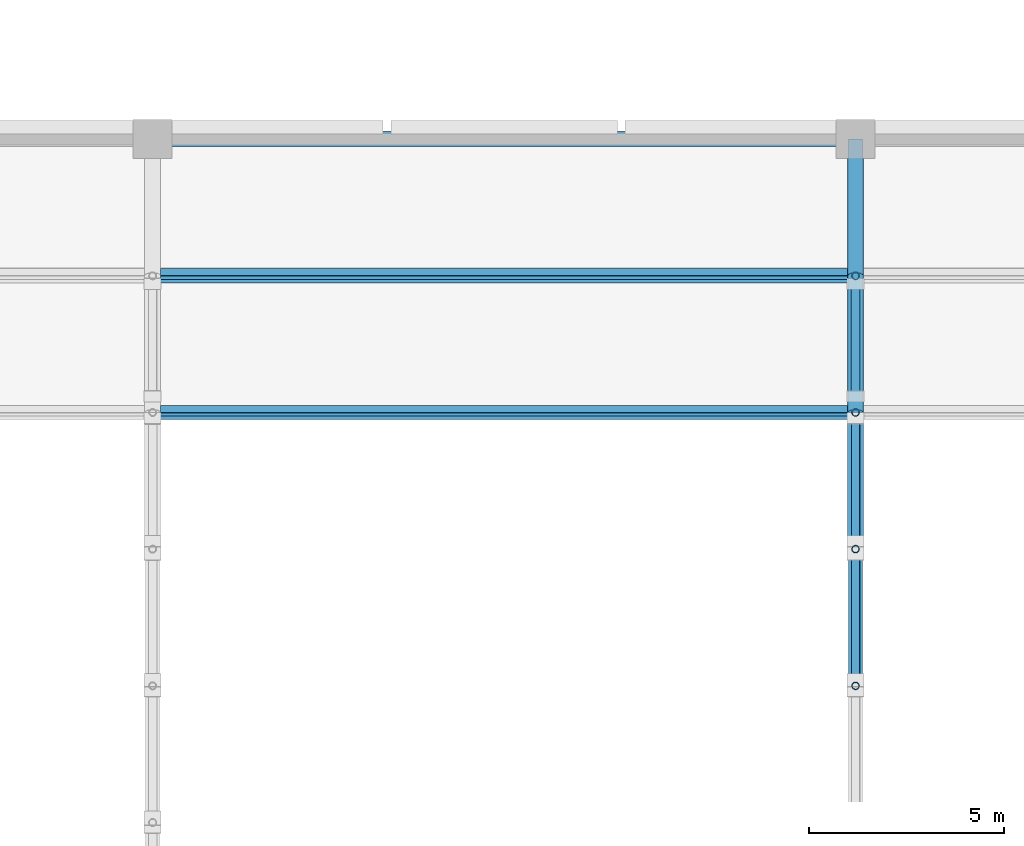
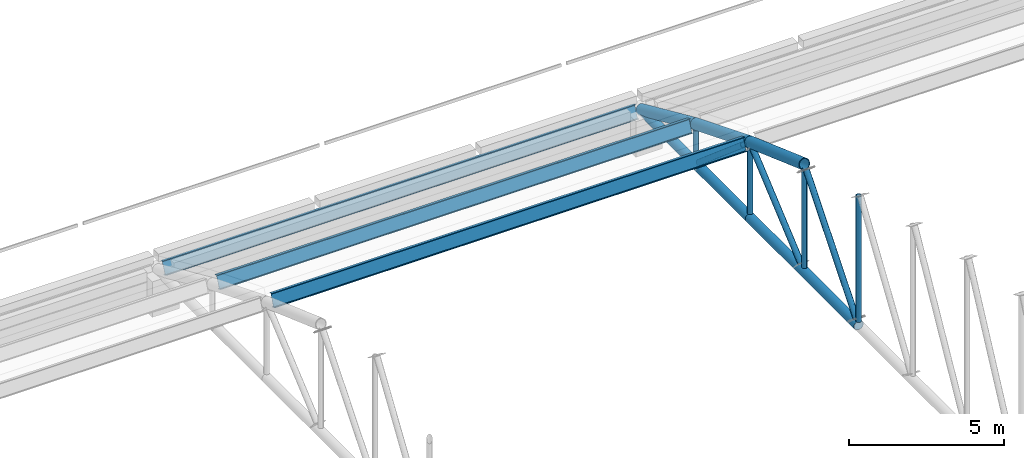
# One storey, part 77 of 196: 15 members.
"""IFC4 building model written with IfcOpenShell, lengths in metres."""

from ifc_helpers import new_model, si_unit, direction, frame, origin, origin_2d, place, context, subcontext, project, spatial, hollow_circle, i_section, extrude, material, material_profile, profile_set, type_object, element, save


model = new_model("IFC4")

# Units and contexts
model_context = context("Model", 3, precision=1e-05, world=origin(), true_north=direction((0.0, 1.0)))
body_context = subcontext(model_context, "Body", "Model", "MODEL_VIEW")
ifc_project = project(units=[si_unit("LENGTHUNIT", "METRE"), si_unit("AREAUNIT", "SQUARE_METRE"), si_unit("VOLUMEUNIT", "CUBIC_METRE"), si_unit("PLANEANGLEUNIT", "RADIAN"), si_unit("MASSUNIT", "GRAM", prefix="KILO")], contexts=[model_context])

# Site, building, storey
site_placement = place(None, origin())
site = spatial("IfcSite", under=ifc_project, at=site_placement, CompositionType="ELEMENT")
building_placement = place(site_placement, origin())
building = spatial("IfcBuilding", under=site, at=building_placement, Name="Okhra Congress Centre", CompositionType="ELEMENT")
storey_placement = place(building_placement, frame((0.0, 0.0, 12.0)))
storey = spatial("IfcBuildingStorey", under=building, at=storey_placement, Name="L02", CompositionType="ELEMENT", Elevation=12.0)

# Members
ifc_material_1 = material(Name="Steel S355J2H", Category="steel")
ifc_material_profile_1 = material_profile(ifc_material_1, hollow_circle(Radius=0.096923828125, WallThickness=0.012451171875, at=origin_2d()), Name="CHS 193.7x12.5")
ifc_profile_set_1 = profile_set([ifc_material_profile_1], Name="Steel S355J2H")
member_type_1 = type_object("IfcMemberType", Name="CHS 193.7x12.5", PredefinedType="POST", material=ifc_profile_set_1)
member_1_placement = place(storey_placement, frame((82.0, 202.0, 1.577880859375), z_axis=(0.0, 0.0, 1.0), x_axis=(1.0, 0.0, 0.0)))
element("IfcMember", 1, at=member_1_placement, inside=storey, type_object=member_type_1, Name="EH.MEM.L02.T4-VER-20", PredefinedType="POST", context=body_context, shape_type="SweptSolid", body=[
    extrude(hollow_circle(Radius=0.096923828125, WallThickness=0.012451171875, at=origin_2d()), origin(), (0.0, 0.0, 1.0), 4.947998046875),
])
member_2_placement = place(storey_placement, frame((82.0, 205.5, 1.577880859375), z_axis=(0.0, 0.0, 1.0), x_axis=(1.0, 0.0, 0.0)))
element("IfcMember", 2, at=member_2_placement, inside=storey, type_object=member_type_1, Name="EH.MEM.L02.T4-VER-21", PredefinedType="POST", context=body_context, shape_type="SweptSolid", body=[
    extrude(hollow_circle(Radius=0.096923828125, WallThickness=0.012451171875, at=origin_2d()), origin(), (0.0, 0.0, 1.0), 3.836669921875),
])
member_3_placement = place(storey_placement, frame((82.0, 209.0, 1.577880859375), z_axis=(0.0, 0.0, 1.0), x_axis=(1.0, 0.0, 0.0)))
element("IfcMember", 3, at=member_3_placement, inside=storey, type_object=member_type_1, Name="EH.MEM.L02.T4-VER-22", PredefinedType="POST", context=body_context, shape_type="SweptSolid", body=[
    extrude(hollow_circle(Radius=0.096923828125, WallThickness=0.012451171875, at=origin_2d()), origin(), (0.0, 0.0, 1.0), 2.578857421875),
])
member_4_placement = place(storey_placement, frame((82.0, 212.5, 1.577880859375), z_axis=(0.0, 0.0, 1.0), x_axis=(1.0, 0.0, 0.0)))
element("IfcMember", 4, at=member_4_placement, inside=storey, type_object=member_type_1, Name="EH.MEM.L02.T4-VER-23", PredefinedType="POST", context=body_context, shape_type="SweptSolid", body=[
    extrude(hollow_circle(Radius=0.096923828125, WallThickness=0.012451171875, at=origin_2d()), origin(), (0.0, 0.0, 1.0), 1.168212890625),
])
ifc_material_profile_2 = material_profile(ifc_material_1, hollow_circle(Radius=0.109619140625, WallThickness=0.012451171875, at=origin_2d()), Name="CHS 219.1x12.5")
ifc_profile_set_2 = profile_set([ifc_material_profile_2], Name="Steel S355J2H")
member_type_2 = type_object("IfcMemberType", Name="CHS 219.1x12.5", PredefinedType="BRACE", material=ifc_profile_set_2)
member_5_placement = place(storey_placement, frame((82.0, 205.373779296875, 5.476318359375), z_axis=(0.0, -0.637599309049, -0.770368172435), x_axis=(1.0, 0.0, 0.0)))
element("IfcMember", 5, at=member_5_placement, inside=storey, type_object=member_type_2, Name="EH.MEM.L02.T4-DIA-20", PredefinedType="BRACE", context=body_context, shape_type="SweptSolid", body=[
    extrude(hollow_circle(Radius=0.109619140625, WallThickness=0.012451171875, at=origin_2d()), origin(), (0.0, 0.0, 1.0), 5.060546875),
])
member_6_placement = place(storey_placement, frame((82.0, 208.8388671875, 4.237060546875), z_axis=(0.0, -0.762061047132, -0.64750518179), x_axis=(1.0, 0.0, 0.0)))
element("IfcMember", 6, at=member_6_placement, inside=storey, type_object=member_type_2, Name="EH.MEM.L02.T4-DIA-21", PredefinedType="BRACE", context=body_context, shape_type="SweptSolid", body=[
    extrude(hollow_circle(Radius=0.109619140625, WallThickness=0.012451171875, at=origin_2d()), origin(), (0.0, 0.0, 1.0), 4.106689453125),
])
member_7_placement = place(storey_placement, frame((82.0, 209.42578125, 4.01220703125), z_axis=(0.0, 0.76205947483, -0.647507032257), x_axis=(-1.0, 0.0, 0.0)))
element("IfcMember", 7, at=member_7_placement, inside=storey, type_object=member_type_2, Name="EH.MEM.L02.T4-DIA-22", PredefinedType="BRACE", context=body_context, shape_type="SweptSolid", body=[
    extrude(hollow_circle(Radius=0.109619140625, WallThickness=0.012451171875, at=origin_2d()), origin(), (0.0, 0.0, 1.0), 3.759521484375),
])
ifc_material_profile_3 = material_profile(ifc_material_1, hollow_circle(Radius=0.177734375, WallThickness=0.01611328125, at=origin_2d()), Name="CHS 355.6x16.0")
ifc_profile_set_3 = profile_set([ifc_material_profile_3], Name="Steel S355J2H")
member_type_3 = type_object("IfcMemberType", Name="CHS 355.6x16.0", PredefinedType="CHORD", material=ifc_profile_set_3)
member_8_placement = place(storey_placement, frame((82.0, 202.0, 1.39990234375), z_axis=(0.0, 1.0, 0.0), x_axis=(-1.0, 0.0, 0.0)))
element("IfcMember", 8, at=member_8_placement, inside=storey, type_object=member_type_3, Name="EH.MEM.L02.T4-BOT-11", PredefinedType="CHORD", context=body_context, shape_type="SweptSolid", body=[
    extrude(hollow_circle(Radius=0.177734375, WallThickness=0.01611328125, at=origin_2d()), origin(), (0.0, 0.0, 1.0), 7.0),
])
ifc_material_profile_4 = material_profile(ifc_material_1, hollow_circle(Radius=0.177734375, WallThickness=0.02490234375, at=origin_2d()), Name="CHS 355.6x25.0")
ifc_profile_set_4 = profile_set([ifc_material_profile_4], Name="Steel S355J2H")
member_type_4 = type_object("IfcMemberType", Name="CHS 355.6x25.0", PredefinedType="CHORD", material=ifc_profile_set_4)
member_9_placement = place(storey_placement, frame((82.0, 209.0, 1.39990234375), z_axis=(0.0, 1.0, 0.0), x_axis=(-1.0, 0.0, 0.0)))
element("IfcMember", 9, at=member_9_placement, inside=storey, type_object=member_type_4, Name="EH.MEM.L02.T4-BOT-12", PredefinedType="CHORD", context=body_context, shape_type="SweptSolid", body=[
    extrude(hollow_circle(Radius=0.177734375, WallThickness=0.02490234375, at=origin_2d()), origin(), (0.0, 0.0, 1.0), 7.0),
])
ifc_material_profile_5 = material_profile(ifc_material_1, hollow_circle(Radius=0.203125, WallThickness=0.02490234375, at=origin_2d()), Name="CHS 406.4x25.0")
ifc_profile_set_5 = profile_set([ifc_material_profile_5], Name="Steel S355J2H")
member_type_5 = type_object("IfcMemberType", Name="CHS 406.4x25.0", PredefinedType="CHORD", material=ifc_profile_set_5)
member_10_placement = place(storey_placement, frame((82.0, 205.5, 5.629150390625), z_axis=(0.0, 0.941304373418, -0.337558997192), x_axis=(-1.0, 0.0, 0.0)))
element("IfcMember", 10, at=member_10_placement, inside=storey, type_object=member_type_5, Name="EH.MEM.L02.T4-TOP-22", PredefinedType="CHORD", context=body_context, shape_type="SweptSolid", body=[
    extrude(hollow_circle(Radius=0.203125, WallThickness=0.02490234375, at=origin_2d()), origin(), (0.0, 0.0, 1.0), 3.71826171875),
])
member_11_placement = place(storey_placement, frame((82.0, 209.0, 4.3740234375), z_axis=(0.0, 0.927814639871, -0.373041544658), x_axis=(-1.0, 0.0, 0.0)))
element("IfcMember", 11, at=member_11_placement, inside=storey, type_object=member_type_5, Name="EH.MEM.L02.T4-TOP-23", PredefinedType="CHORD", context=body_context, shape_type="SweptSolid", body=[
    extrude(hollow_circle(Radius=0.203125, WallThickness=0.02490234375, at=origin_2d()), origin(), (0.0, 0.0, 1.0), 3.772216796875),
])
member_12_placement = place(storey_placement, frame((82.0, 212.5, 2.966796875), z_axis=(0.0, 0.912710800597, -0.408606160591), x_axis=(-1.0, 0.0, 0.0)))
element("IfcMember", 12, at=member_12_placement, inside=storey, type_object=member_type_5, Name="EH.MEM.L02.T4-TOP-24", PredefinedType="CHORD", context=body_context, shape_type="SweptSolid", body=[
    extrude(hollow_circle(Radius=0.203125, WallThickness=0.02490234375, at=origin_2d()), origin(), (0.0, 0.0, 1.0), 3.834716796875),
])
ifc_material_2 = material(Name="Steel S355J2", Category="steel")
ifc_material_profile_6 = material_profile(ifc_material_2, i_section(OverallWidth=0.199951171875, OverallDepth=0.5, WebThickness=0.01025390625, FlangeThickness=0.01611328125, at=origin_2d()), Name="IPE 500")
ifc_profile_set_6 = profile_set([ifc_material_profile_6], Name="Steel S355J2")
member_type_6 = type_object("IfcMemberType", Name="IPE 500", PredefinedType="PURLIN", material=ifc_profile_set_6)
for number, where, z_axis, x_axis, name in (
    (13, (64.203125, 209.0, 4.3740234375), (1.0, 0.0, 0.0), (0.0, 0.934732963292, -0.355350935465), "EH.MEM.L02.PU3-23"),
    (14, (64.203125, 212.5, 2.966796875), (1.0, 0.0, 0.0), (0.0, 0.920437204489, -0.390890461118), "EH.MEM.L02.PU3-24"),
    (15, (64.203125, 216.0, 1.39990234375), (1.0, 0.0, 0.0), (0.0, 0.912721046606, -0.40858327313), "EH.MEM.L02.PU3-25"),
):
    element("IfcMember", number, at=place(storey_placement, frame(where, z_axis=z_axis, x_axis=x_axis)), inside=storey, type_object=member_type_6, Name=name, PredefinedType="PURLIN", context=body_context, shape_type="SweptSolid", body=[
        extrude(i_section(OverallWidth=0.199951171875, OverallDepth=0.5, WebThickness=0.01025390625, FlangeThickness=0.01611328125, at=origin_2d()), origin(), (0.0, 0.0, 1.0), 17.59375),
    ])

save(model, "model.ifc")
